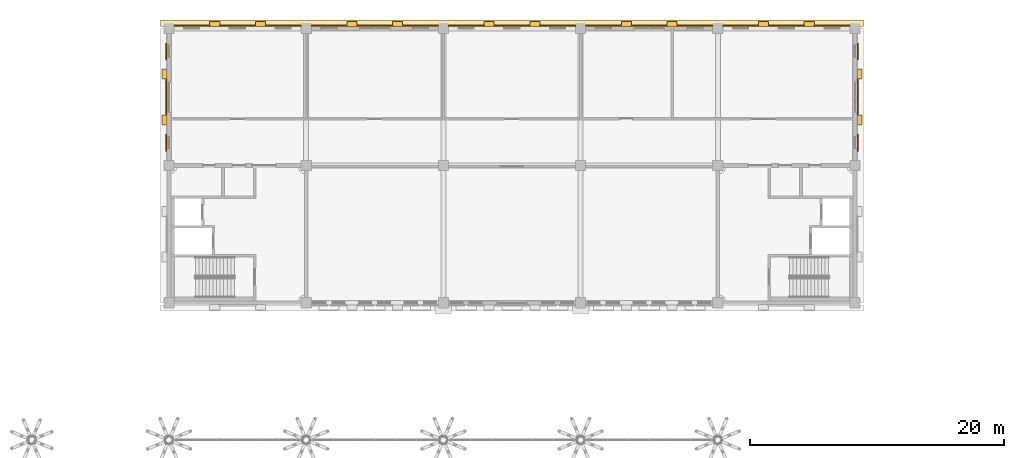
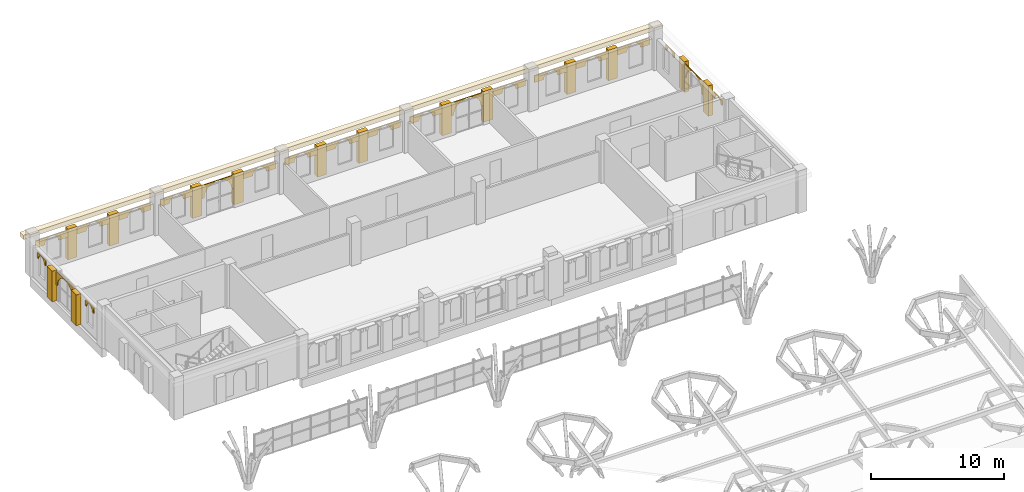
# One storey, part 42 of 42: 36 coverings.
"""IFC4 building model written with IfcOpenShell, lengths in metres."""

from ifc_helpers import new_model, si_unit, direction, frame, origin, origin_2d, place, context, subcontext, project, spatial, polyline, rectangle, outline, extrude, material, layer, layer_set, type_object, element, save


model = new_model("IFC4")

# Units and contexts
model_context = context("Model", 3, precision=1e-05, world=origin(), true_north=direction((0.0, 1.0)))
body_context = subcontext(model_context, "Body", "Model", "MODEL_VIEW")
ifc_project = project(units=[si_unit("LENGTHUNIT", "METRE"), si_unit("AREAUNIT", "SQUARE_METRE"), si_unit("VOLUMEUNIT", "CUBIC_METRE"), si_unit("PLANEANGLEUNIT", "RADIAN"), si_unit("MASSUNIT", "GRAM", prefix="KILO")], contexts=[model_context])

# Site, building, storey
site_placement = place(None, origin())
site = spatial("IfcSite", under=ifc_project, at=site_placement, CompositionType="ELEMENT")
building_placement = place(site_placement, origin())
building = spatial("IfcBuilding", under=site, at=building_placement, Name="Magnolia Steps Interchange", CompositionType="ELEMENT")
storey_placement = place(building_placement, frame((0.0, 0.0, 12.60009765625)))
storey = spatial("IfcBuildingStorey", under=building, at=storey_placement, Name="L03", CompositionType="ELEMENT", Elevation=12.60009765625)

# Coverings
ifc_material_1 = material(Name="Lime render")
ifc_layer_1 = layer(ifc_material_1, 0.080078125)
ifc_layer_set_1 = layer_set([ifc_layer_1], Name="Lime render arch infill")
covering_type_1 = type_object("IfcCoveringType", Name="Lime render arch infill", PredefinedType="CLADDING", material=ifc_layer_set_1)
covering_1_placement = place(storey_placement, frame((118.16259765625, 111.199951171875, 1.47998046875), z_axis=(-1.0, 0.0, 0.0), x_axis=(0.0, 0.0, 1.0)))
element("IfcCovering", 1, at=covering_1_placement, inside=storey, type_object=covering_type_1, Name="Arched head over opening g2", PredefinedType="CLADDING", context=body_context, shape_type="SweptSolid", body=[
    extrude(outline(polyline([(0.0, 0.0), (1.219970703, 0.0), (1.219970703, 2.800048828), (0.0, 2.800048828), (0.0, 2.600097656), (0.266845703, 2.570068359), (0.520507812, 2.481201172), (0.748046875, 2.338134766), (0.938232422, 2.148193359), (1.081054688, 1.920654297), (1.169921875, 1.666992188), (1.199951172, 1.400146484), (1.169921875, 1.133056641), (1.081054688, 0.879394531), (0.938232422, 0.651855469), (0.748046875, 0.461914062), (0.520507812, 0.318847656), (0.266845703, 0.230224609), (0.0, 0.199951172), (0.0, 0.0)])), origin(), (0.0, 0.0, -1.0), 0.080078125),
])
covering_2_placement = place(storey_placement, frame((118.16259765625, 108.35009765625, 2.22998046875), z_axis=(-1.0, 0.0, 0.0), x_axis=(0.0, 0.0, 1.0)))
element("IfcCovering", 2, at=covering_2_placement, inside=storey, type_object=covering_type_1, Name="Arched head over opening W00180", PredefinedType="CLADDING", context=body_context, shape_type="SweptSolid", body=[
    extrude(outline(polyline([(0.0, 0.0), (0.469970703, 0.0), (0.469970703, 1.299804688), (0.0, 1.299804688), (0.0, 1.099853516), (0.100097656, 1.088623047), (0.195068359, 1.055419922), (0.280517578, 1.001708984), (0.351806641, 0.930419922), (0.405273438, 0.845214844), (0.438720703, 0.75), (0.449951172, 0.649902344), (0.438720703, 0.549804688), (0.405273438, 0.454589844), (0.351806641, 0.369384766), (0.280517578, 0.298095703), (0.195068359, 0.244384766), (0.100097656, 0.211181641), (0.0, 0.199951172), (0.0, 0.0)])), origin(), (0.0, 0.0, -1.0), 0.080078125),
])
covering_3_placement = place(storey_placement, frame((118.16259765625, 115.550048828125, 2.22998046875), z_axis=(-1.0, 0.0, 0.0), x_axis=(0.0, 0.0, 1.0)))
element("IfcCovering", 3, at=covering_3_placement, inside=storey, type_object=covering_type_1, Name="Arched head over opening W00240", PredefinedType="CLADDING", context=body_context, shape_type="SweptSolid", body=[
    extrude(outline(polyline([(0.0, 0.0), (0.469970703, 0.0), (0.469970703, 1.300048828), (0.0, 1.300048828), (0.0, 1.099853516), (0.100097656, 1.088623047), (0.195068359, 1.055419922), (0.280517578, 1.001708984), (0.351806641, 0.930664062), (0.405273438, 0.845214844), (0.438720703, 0.75), (0.449951172, 0.649902344), (0.438720703, 0.549804688), (0.405273438, 0.454833984), (0.351806641, 0.369384766), (0.280517578, 0.298095703), (0.195068359, 0.244628906), (0.100097656, 0.211181641), (0.0, 0.199951172), (0.0, 0.0)])), origin(), (0.0, 0.0, -1.0), 0.080078125),
])
covering_4_placement = place(storey_placement, frame((79.0, 118.16259765625, 1.52978515625), z_axis=(0.0, -1.0, 0.0), x_axis=(0.111727497739, 0.0, 0.993738882327)))
element("IfcCovering", 4, at=covering_4_placement, inside=storey, type_object=covering_type_1, Name="Arched head over opening g2", PredefinedType="CLADDING", context=body_context, shape_type="SweptSolid", body=[
    extrude(outline(polyline([(0.0, 0.0), (0.268772661, 0.0), (0.530775471, -0.059969747), (0.772847059, -0.176475415), (0.982848175, -0.34424851), (1.150413918, -0.55413586), (1.266850396, -0.796550742), (1.32674829, -1.058343317), (1.326505678, -1.327143256), (1.266778543, -1.589118788), (1.150030263, -1.831217653), (0.98249978, -2.041191492), (0.772369818, -2.208784513), (0.530197548, -2.325193713), (0.268135084, -2.384876273), (0.290502405, -2.583818139), (1.50307734, -2.447486588), (1.190234891, 0.335030805), (-0.022340044, 0.198699254), (0.0, 0.0)])), origin(), (0.0, 0.0, -1.0), 0.080078125),
])
covering_5_placement = place(storey_placement, frame((100.60009765625, 118.16259765625, 1.52978515625), z_axis=(0.0, -1.0, 0.0), x_axis=(0.111727497739, 0.0, 0.993738882327)))
element("IfcCovering", 5, at=covering_5_placement, inside=storey, type_object=covering_type_1, Name="Arched head over opening g4", PredefinedType="CLADDING", context=body_context, shape_type="SweptSolid", body=[
    extrude(outline(polyline([(0.0, 0.0), (0.268772661, 0.0), (0.530748193, -0.059727135), (0.772847059, -0.176475415), (0.982820897, -0.344005898), (1.150413918, -0.55413586), (1.266823118, -0.79630813), (1.32674829, -1.058343317), (1.326478401, -1.326900644), (1.266778543, -1.589118788), (1.150002986, -1.830975041), (0.98249978, -2.041191492), (0.772342541, -2.208541901), (0.530197548, -2.325193713), (0.268135084, -2.384876273), (0.290475128, -2.583575527), (1.503050063, -2.447243976), (1.190207614, 0.335273417), (-0.022367321, 0.198941866), (0.0, 0.0)])), origin(), (0.0, 0.0, -1.0), 0.080078125),
])
covering_6_placement = place(storey_placement, frame((65.199951171875, 118.16259765625, 2.079833984375), z_axis=(0.0, -1.0, 0.0), x_axis=(0.112624375469, 0.0, 0.993637635182)))
element("IfcCovering", 6, at=covering_6_placement, inside=storey, type_object=covering_type_1, Name="Arched head over opening W00180", PredefinedType="CLADDING", context=body_context, shape_type="SweptSolid", body=[
    extrude(outline(polyline([(0.0, 0.0), (0.134400024, 0.0), (0.265307145, -0.029880371), (0.386624307, -0.087875148), (0.491686788, -0.171545596), (0.575605589, -0.276777489), (0.633784413, -0.397703495), (0.66386524, -0.528693992), (0.66386524, -0.663094016), (0.634227456, -0.793973641), (0.575962596, -0.915075712), (0.492292147, -1.020138193), (0.387060254, -1.104056994), (0.266161744, -1.162478405), (0.135143751, -1.192316645), (0.225248751, -1.98727527), (0.841420527, -1.917434959), (0.526066776, 0.864798937), (-0.090105, 0.794958626), (0.0, 0.0)])), origin(), (0.0, 0.0, -1.0), 0.080078125),
])
covering_7_placement = place(storey_placement, frame((68.800048828125, 118.16259765625, 2.079833984375), z_axis=(0.0, -1.0, 0.0), x_axis=(0.1108303469, 0.0, 0.993839340239)))
element("IfcCovering", 7, at=covering_7_placement, inside=storey, type_object=covering_type_1, Name="Arched head over opening W00540", PredefinedType="CLADDING", context=body_context, shape_type="SweptSolid", body=[
    extrude(outline(polyline([(0.0, 0.0), (0.134372747, 0.0), (0.265225711, -0.030116653), (0.386465033, -0.088572989), (0.49137629, -0.172432974), (0.575077918, -0.277573561), (0.633065394, -0.398847038), (0.662882632, -0.529648991), (0.662639995, -0.664048796), (0.632793037, -0.795117338), (0.574309643, -0.916114024), (0.490449658, -1.021025281), (0.385066435, -1.104753967), (0.264062652, -1.162957021), (0.132991005, -1.192558681), (0.221660694, -1.98767868), (0.83795755, -1.918950877), (0.527627167, 0.863847803), (-0.088669689, 0.79512), (0.0, 0.0)])), origin(), (0.0, 0.0, -1.0), 0.080078125),
])
covering_8_placement = place(storey_placement, frame((72.39990234375, 118.16259765625, 2.079833984375), z_axis=(0.0, -1.0, 0.0), x_axis=(0.112624375469, 0.0, 0.993637635182)))
element("IfcCovering", 8, at=covering_8_placement, inside=storey, type_object=covering_type_1, Name="Arched head over opening W00900", PredefinedType="CLADDING", context=body_context, shape_type="SweptSolid", body=[
    extrude(outline(polyline([(0.0, 0.0), (0.134400024, 0.0), (0.265307145, -0.029880371), (0.386651803, -0.088117735), (0.491714284, -0.171788184), (0.575605589, -0.276777489), (0.633784413, -0.397703495), (0.66386524, -0.528693992), (0.66386524, -0.663094016), (0.634227456, -0.793973641), (0.575962596, -0.915075712), (0.492292147, -1.020138193), (0.387060254, -1.104056994), (0.266161744, -1.162478405), (0.135171248, -1.192559232), (0.225248751, -1.98727527), (0.841420527, -1.917434959), (0.526094272, 0.864556349), (-0.090077503, 0.794716038), (0.0, 0.0)])), origin(), (0.0, 0.0, -1.0), 0.080078125),
])
covering_9_placement = place(storey_placement, frame((76.0, 118.16259765625, 2.079833984375), z_axis=(0.0, -1.0, 0.0), x_axis=(0.1108303469, 0.0, 0.993839340239)))
element("IfcCovering", 9, at=covering_9_placement, inside=storey, type_object=covering_type_1, Name="Arched head over opening W01260", PredefinedType="CLADDING", context=body_context, shape_type="SweptSolid", body=[
    extrude(outline(polyline([(0.0, 0.0), (0.134372747, 0.0), (0.265225711, -0.030116653), (0.386465033, -0.088572989), (0.49137629, -0.172432974), (0.575077918, -0.277573561), (0.633065394, -0.398847038), (0.66290969, -0.529891627), (0.662639995, -0.664048796), (0.632793037, -0.795117338), (0.574309643, -0.916114024), (0.490449658, -1.021025281), (0.385066435, -1.104753967), (0.264062652, -1.162957021), (0.132991005, -1.192558681), (0.221660694, -1.98767868), (0.83795755, -1.918950877), (0.527627167, 0.863847803), (-0.088669689, 0.79512), (0.0, 0.0)])), origin(), (0.0, 0.0, -1.0), 0.080078125),
])
covering_10_placement = place(storey_placement, frame((83.199951171875, 118.16259765625, 2.079833984375), z_axis=(0.0, -1.0, 0.0), x_axis=(0.112624375469, 0.0, 0.993637635182)))
element("IfcCovering", 10, at=covering_10_placement, inside=storey, type_object=covering_type_1, Name="Arched head over opening W00240", PredefinedType="CLADDING", context=body_context, shape_type="SweptSolid", body=[
    extrude(outline(polyline([(0.0, 0.0), (0.134400024, 0.0), (0.265307145, -0.029880371), (0.386624307, -0.087875148), (0.491686788, -0.171545596), (0.575605589, -0.276777489), (0.633784413, -0.397703495), (0.66386524, -0.528693992), (0.66386524, -0.663094016), (0.634227456, -0.793973641), (0.575962596, -0.915075712), (0.492292147, -1.020138193), (0.387060254, -1.104056994), (0.266161744, -1.162478405), (0.135143751, -1.192316645), (0.225248751, -1.98727527), (0.841420527, -1.917434959), (0.526066776, 0.864798937), (-0.090105, 0.794958626), (0.0, 0.0)])), origin(), (0.0, 0.0, -1.0), 0.080078125),
])
covering_11_placement = place(storey_placement, frame((86.800048828125, 118.16259765625, 2.079833984375), z_axis=(0.0, -1.0, 0.0), x_axis=(0.1108303469, 0.0, 0.993839340239)))
element("IfcCovering", 11, at=covering_11_placement, inside=storey, type_object=covering_type_1, Name="Arched head over opening W00600", PredefinedType="CLADDING", context=body_context, shape_type="SweptSolid", body=[
    extrude(outline(polyline([(0.0, 0.0), (0.134372747, 0.0), (0.265225711, -0.030116653), (0.386465033, -0.088572989), (0.49137629, -0.172432974), (0.575077918, -0.277573561), (0.633065394, -0.398847038), (0.662882632, -0.529648991), (0.662639995, -0.664048796), (0.632793037, -0.795117338), (0.574309643, -0.916114024), (0.490449658, -1.021025281), (0.385066435, -1.104753967), (0.264062652, -1.162957021), (0.132991005, -1.192558681), (0.221660694, -1.98767868), (0.83795755, -1.918950877), (0.527627167, 0.863847803), (-0.088669689, 0.79512), (0.0, 0.0)])), origin(), (0.0, 0.0, -1.0), 0.080078125),
])
covering_12_placement = place(storey_placement, frame((90.39990234375, 118.16259765625, 2.079833984375), z_axis=(0.0, -1.0, 0.0), x_axis=(0.112624375469, 0.0, 0.993637635182)))
element("IfcCovering", 12, at=covering_12_placement, inside=storey, type_object=covering_type_1, Name="Arched head over opening W00960", PredefinedType="CLADDING", context=body_context, shape_type="SweptSolid", body=[
    extrude(outline(polyline([(0.0, 0.0), (0.134400024, 0.0), (0.265307145, -0.029880371), (0.386651803, -0.088117735), (0.491714284, -0.171788184), (0.575605589, -0.276777489), (0.633784413, -0.397703495), (0.66386524, -0.528693992), (0.66386524, -0.663094016), (0.634227456, -0.793973641), (0.575962596, -0.915075712), (0.492292147, -1.020138193), (0.387060254, -1.104056994), (0.266161744, -1.162478405), (0.135171248, -1.192559232), (0.225248751, -1.98727527), (0.841420527, -1.917434959), (0.526094272, 0.864556349), (-0.090077503, 0.794716038), (0.0, 0.0)])), origin(), (0.0, 0.0, -1.0), 0.080078125),
])
covering_13_placement = place(storey_placement, frame((94.0, 118.16259765625, 2.079833984375), z_axis=(0.0, -1.0, 0.0), x_axis=(0.1108303469, 0.0, 0.993839340239)))
element("IfcCovering", 13, at=covering_13_placement, inside=storey, type_object=covering_type_1, Name="Arched head over opening W01320", PredefinedType="CLADDING", context=body_context, shape_type="SweptSolid", body=[
    extrude(outline(polyline([(0.0, 0.0), (0.134372747, 0.0), (0.265225711, -0.030116653), (0.386465033, -0.088572989), (0.49137629, -0.172432974), (0.575077918, -0.277573561), (0.633065394, -0.398847038), (0.66290969, -0.529891627), (0.662639995, -0.664048796), (0.632793037, -0.795117338), (0.574309643, -0.916114024), (0.490449658, -1.021025281), (0.385066435, -1.104753967), (0.264062652, -1.162957021), (0.132991005, -1.192558681), (0.221660694, -1.98767868), (0.83795755, -1.918950877), (0.527627167, 0.863847803), (-0.088669689, 0.79512), (0.0, 0.0)])), origin(), (0.0, 0.0, -1.0), 0.080078125),
])
covering_14_placement = place(storey_placement, frame((97.60009765625, 118.16259765625, 2.079833984375), z_axis=(0.0, -1.0, 0.0), x_axis=(0.1108303469, 0.0, 0.993839340239)))
element("IfcCovering", 14, at=covering_14_placement, inside=storey, type_object=covering_type_1, Name="Arched head over opening W01680", PredefinedType="CLADDING", context=body_context, shape_type="SweptSolid", body=[
    extrude(outline(polyline([(0.0, 0.0), (0.134372747, 0.0), (0.265225711, -0.030116653), (0.386465033, -0.088572989), (0.49137629, -0.172432974), (0.575077918, -0.277573561), (0.633038335, -0.398604402), (0.662882632, -0.529648991), (0.662639995, -0.664048796), (0.632765979, -0.794874701), (0.574309643, -0.916114024), (0.490449658, -1.021025281), (0.385039377, -1.10451133), (0.264035594, -1.162714384), (0.132991005, -1.192558681), (0.221660694, -1.98767868), (0.83795755, -1.918950877), (0.527627167, 0.863847803), (-0.088669689, 0.79512), (0.0, 0.0)])), origin(), (0.0, 0.0, -1.0), 0.080078125),
])
covering_15_placement = place(storey_placement, frame((104.800048828125, 118.16259765625, 2.079833984375), z_axis=(0.0, -1.0, 0.0), x_axis=(0.1108303469, 0.0, 0.993839340239)))
element("IfcCovering", 15, at=covering_15_placement, inside=storey, type_object=covering_type_1, Name="Arched head over opening W00240", PredefinedType="CLADDING", context=body_context, shape_type="SweptSolid", body=[
    extrude(outline(polyline([(0.0, 0.0), (0.134372747, 0.0), (0.265225711, -0.030116653), (0.386465033, -0.088572989), (0.49137629, -0.172432974), (0.575077918, -0.277573561), (0.633065394, -0.398847038), (0.662882632, -0.529648991), (0.662639995, -0.664048796), (0.632793037, -0.795117338), (0.574309643, -0.916114024), (0.490449658, -1.021025281), (0.385066435, -1.104753967), (0.264062652, -1.162957021), (0.132991005, -1.192558681), (0.221660694, -1.98767868), (0.83795755, -1.918950877), (0.527627167, 0.863847803), (-0.088669689, 0.79512), (0.0, 0.0)])), origin(), (0.0, 0.0, -1.0), 0.080078125),
])
covering_16_placement = place(storey_placement, frame((108.39990234375, 118.16259765625, 2.079833984375), z_axis=(0.0, -1.0, 0.0), x_axis=(0.112624375469, 0.0, 0.993637635182)))
element("IfcCovering", 16, at=covering_16_placement, inside=storey, type_object=covering_type_1, Name="Arched head over opening W00600", PredefinedType="CLADDING", context=body_context, shape_type="SweptSolid", body=[
    extrude(outline(polyline([(0.0, 0.0), (0.134400024, 0.0), (0.265307145, -0.029880371), (0.386651803, -0.088117735), (0.491714284, -0.171788184), (0.575605589, -0.276777489), (0.633784413, -0.397703495), (0.66386524, -0.528693992), (0.66386524, -0.663094016), (0.634227456, -0.793973641), (0.575962596, -0.915075712), (0.492292147, -1.020138193), (0.387060254, -1.104056994), (0.266161744, -1.162478405), (0.135171248, -1.192559232), (0.225248751, -1.98727527), (0.841420527, -1.917434959), (0.526094272, 0.864556349), (-0.090077503, 0.794716038), (0.0, 0.0)])), origin(), (0.0, 0.0, -1.0), 0.080078125),
])
covering_17_placement = place(storey_placement, frame((112.0, 118.16259765625, 2.079833984375), z_axis=(0.0, -1.0, 0.0), x_axis=(0.1108303469, 0.0, 0.993839340239)))
element("IfcCovering", 17, at=covering_17_placement, inside=storey, type_object=covering_type_1, Name="Arched head over opening W00960", PredefinedType="CLADDING", context=body_context, shape_type="SweptSolid", body=[
    extrude(outline(polyline([(0.0, 0.0), (0.134372747, 0.0), (0.265225711, -0.030116653), (0.386465033, -0.088572989), (0.49137629, -0.172432974), (0.575077918, -0.277573561), (0.633065394, -0.398847038), (0.66290969, -0.529891627), (0.662639995, -0.664048796), (0.632793037, -0.795117338), (0.574309643, -0.916114024), (0.490449658, -1.021025281), (0.385066435, -1.104753967), (0.264062652, -1.162957021), (0.132991005, -1.192558681), (0.221660694, -1.98767868), (0.83795755, -1.918950877), (0.527627167, 0.863847803), (-0.088669689, 0.79512), (0.0, 0.0)])), origin(), (0.0, 0.0, -1.0), 0.080078125),
])
covering_18_placement = place(storey_placement, frame((115.60009765625, 118.16259765625, 2.079833984375), z_axis=(0.0, -1.0, 0.0), x_axis=(0.1108303469, 0.0, 0.993839340239)))
element("IfcCovering", 18, at=covering_18_placement, inside=storey, type_object=covering_type_1, Name="Arched head over opening W01320", PredefinedType="CLADDING", context=body_context, shape_type="SweptSolid", body=[
    extrude(outline(polyline([(0.0, 0.0), (0.134372747, 0.0), (0.265225711, -0.030116653), (0.386465033, -0.088572989), (0.49137629, -0.172432974), (0.575077918, -0.277573561), (0.633038335, -0.398604402), (0.662882632, -0.529648991), (0.662639995, -0.664048796), (0.632765979, -0.794874701), (0.574309643, -0.916114024), (0.490449658, -1.021025281), (0.385039377, -1.10451133), (0.264035594, -1.162714384), (0.132991005, -1.192558681), (0.221660694, -1.98767868), (0.83795755, -1.918950877), (0.527627167, 0.863847803), (-0.088669689, 0.79512), (0.0, 0.0)])), origin(), (0.0, 0.0, -1.0), 0.080078125),
])
covering_19_placement = place(storey_placement, frame((63.83740234375, 111.39990234375, 1.47998046875), z_axis=(1.0, 0.0, 0.0), x_axis=(0.0, 0.112726108207, 0.993626098957)))
element("IfcCovering", 19, at=covering_19_placement, inside=storey, type_object=covering_type_1, Name="Arched head over opening g2", PredefinedType="CLADDING", context=body_context, shape_type="SweptSolid", body=[
    extrude(outline(polyline([(0.0, 0.0), (0.268557462, 0.0), (0.530592885, -0.05946383), (0.772808955, -0.175968752), (0.983193634, -0.343260614), (1.150755158, -0.553249567), (1.267650257, -0.795277207), (1.327596149, -1.057279561), (1.327838733, -1.325809501), (1.268132319, -1.587872446), (1.151869981, -1.830060995), (0.984308013, -2.04023061), (0.774346582, -2.208034718), (0.532318942, -2.324929817), (0.270559172, -2.384848188), (0.29309889, -2.583524891), (1.50529362, -2.446002342), (1.189655013, 0.336199252), (-0.022539717, 0.198676703), (0.0, 0.0)])), origin(), (0.0, 0.0, -1.0), 0.080078125),
])
covering_20_placement = place(storey_placement, frame((63.83740234375, 108.550048828125, 2.22998046875), z_axis=(1.0, 0.0, 0.0), x_axis=(0.0, 0.111495577518, 0.993764930048)))
element("IfcCovering", 20, at=covering_20_placement, inside=storey, type_object=covering_type_1, Name="Arched head over opening W00180", PredefinedType="CLADDING", context=body_context, shape_type="SweptSolid", body=[
    extrude(outline(polyline([(0.0, 0.0), (0.100725688, 0.0), (0.198806244, -0.022407288), (0.289711213, -0.066256124), (0.368504198, -0.129152279), (0.431137615, -0.207864786), (0.474992369, -0.298756736), (0.497313261, -0.396978129), (0.497313261, -0.497703817), (0.474690575, -0.596054212), (0.431057137, -0.686689342), (0.368160982, -0.765482327), (0.289233077, -0.828385583), (0.198556524, -0.871970498), (0.100335132, -0.89429139), (0.122628803, -1.092995852), (0.589669206, -1.040596197), (0.444746732, 0.251104117), (-0.022293671, 0.198704462), (0.0, 0.0)])), origin(), (0.0, 0.0, -1.0), 0.080078125),
])
covering_21_placement = place(storey_placement, frame((63.83740234375, 115.75, 2.22998046875), z_axis=(1.0, 0.0, 0.0), x_axis=(0.0, 0.111495577518, 0.993764930048)))
element("IfcCovering", 21, at=covering_21_placement, inside=storey, type_object=covering_type_1, Name="Arched head over opening W00240", PredefinedType="CLADDING", context=body_context, shape_type="SweptSolid", body=[
    extrude(outline(polyline([(0.0, 0.0), (0.100725688, 0.0), (0.198833464, -0.022649906), (0.289711213, -0.066256124), (0.368504198, -0.129152279), (0.431164836, -0.208107404), (0.474992369, -0.298756736), (0.497313261, -0.396978129), (0.497313261, -0.497703817), (0.474690575, -0.596054212), (0.431084357, -0.68693196), (0.368160982, -0.765482327), (0.289233077, -0.828385583), (0.198556524, -0.871970498), (0.100335132, -0.89429139), (0.122656024, -1.09323847), (0.589696426, -1.040838815), (0.444746732, 0.251104117), (-0.022293671, 0.198704462), (0.0, 0.0)])), origin(), (0.0, 0.0, -1.0), 0.080078125),
])
ifc_material_2 = material(Name="Lime render")
ifc_layer_2 = layer(ifc_material_2, 0.1201171875)
ifc_layer_set_2 = layer_set([ifc_layer_2], Name="Lime render band")
covering_type_2 = type_object("IfcCoveringType", Name="Lime render band", PredefinedType="CLADDING", material=ifc_layer_set_2)
covering_22_placement = place(storey_placement, frame((91.0, 118.41259765625, 3.199951171875), z_axis=(0.0, 0.0, 1.0), x_axis=(1.0, 0.0, 0.0)))
element("IfcCovering", 22, at=covering_22_placement, inside=storey, type_object=covering_type_2, Name="String course L03 N", PredefinedType="CLADDING", context=body_context, shape_type="SweptSolid", body=[
    extrude(rectangle(XDim=55.324951171875, YDim=0.5, at=origin_2d()), origin(), (0.0, 0.0, 1.0), 0.39990234375),
])
ifc_material_3 = material(Name="Lime render")
ifc_layer_3 = layer(ifc_material_3, 0.39990234375)
ifc_layer_set_3 = layer_set([ifc_layer_3], Name="Lime render pilaster")
covering_type_3 = type_object("IfcCoveringType", Name="Lime render pilaster", PredefinedType="CLADDING", material=ifc_layer_set_3)
for number, where, z_axis, x_axis, name in (
    (23, (67.60009765625, 118.362548828125, 0.0), (0.0, 0.0, 1.0), (1.0, 0.0, 0.0), "Pilaster L03 N 1"),
    (24, (71.199951171875, 118.362548828125, 0.0), (0.0, 0.0, 1.0), (1.0, 0.0, 0.0), "Pilaster L03 N 2"),
    (25, (78.39990234375, 118.362548828125, 0.0), (0.0, 0.0, 1.0), (1.0, 0.0, 0.0), "Pilaster L03 N 3"),
    (26, (82.0, 118.362548828125, 0.0), (0.0, 0.0, 1.0), (1.0, 0.0, 0.0), "Pilaster L03 N 4"),
    (27, (89.199951171875, 118.362548828125, 0.0), (0.0, 0.0, 1.0), (1.0, 0.0, 0.0), "Pilaster L03 N 5"),
    (28, (92.800048828125, 118.362548828125, 0.0), (0.0, 0.0, 1.0), (1.0, 0.0, 0.0), "Pilaster L03 N 6"),
    (29, (100.0, 118.362548828125, 0.0), (0.0, 0.0, 1.0), (1.0, 0.0, 0.0), "Pilaster L03 N 7"),
    (30, (103.60009765625, 118.362548828125, 0.0), (0.0, 0.0, 1.0), (1.0, 0.0, 0.0), "Pilaster L03 N 8"),
    (31, (110.800048828125, 118.362548828125, 0.0), (0.0, 0.0, 1.0), (1.0, 0.0, 0.0), "Pilaster L03 N 9"),
    (32, (114.39990234375, 118.362548828125, 0.0), (0.0, 0.0, 1.0), (1.0, 0.0, 0.0), "Pilaster L03 N 10"),
):
    element("IfcCovering", number, at=place(storey_placement, frame(where, z_axis=z_axis, x_axis=x_axis)), inside=storey, type_object=covering_type_3, Name=name, PredefinedType="CLADDING", context=body_context, shape_type="SweptSolid", body=[
        extrude(rectangle(XDim=0.800048828125, YDim=0.39990234375, at=origin_2d()), origin(), (0.0, 0.0, 1.0), 2.800048828125),
    ])
for number, where, z_axis, x_axis, name in (
    (33, (63.637451171875, 110.800048828125, 0.0), (0.0, 0.0, 1.0), (1.0, 0.0, 0.0), "Pilaster L03 W 1"),
    (34, (63.637451171875, 114.39990234375, 0.0), (0.0, 0.0, 1.0), (1.0, 0.0, 0.0), "Pilaster L03 W 2"),
    (35, (118.362548828125, 110.800048828125, 0.0), (0.0, 0.0, 1.0), (1.0, 0.0, 0.0), "Pilaster L03 E 1"),
    (36, (118.362548828125, 114.39990234375, 0.0), (0.0, 0.0, 1.0), (1.0, 0.0, 0.0), "Pilaster L03 E 2"),
):
    element("IfcCovering", number, at=place(storey_placement, frame(where, z_axis=z_axis, x_axis=x_axis)), inside=storey, type_object=covering_type_3, Name=name, PredefinedType="CLADDING", context=body_context, shape_type="SweptSolid", body=[
        extrude(rectangle(XDim=0.39990234375, YDim=0.800048828125, at=origin_2d()), origin(), (0.0, 0.0, 1.0), 2.800048828125),
    ])

save(model, "model.ifc")
